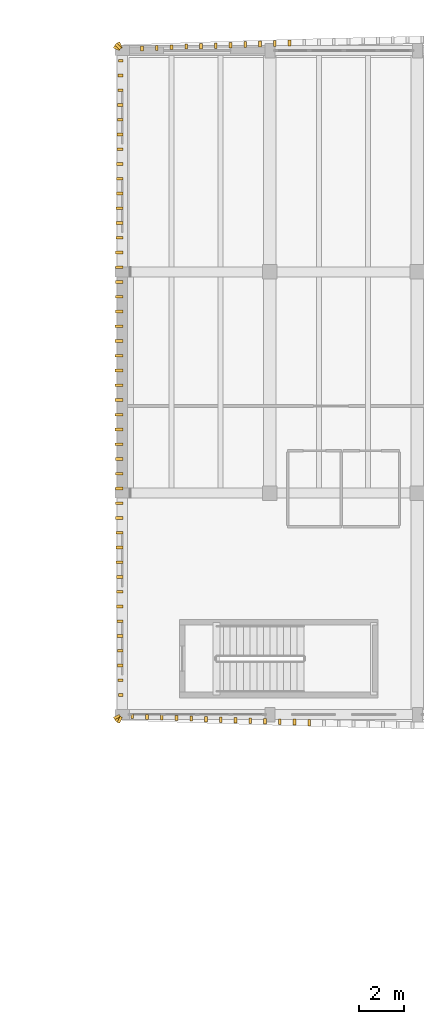
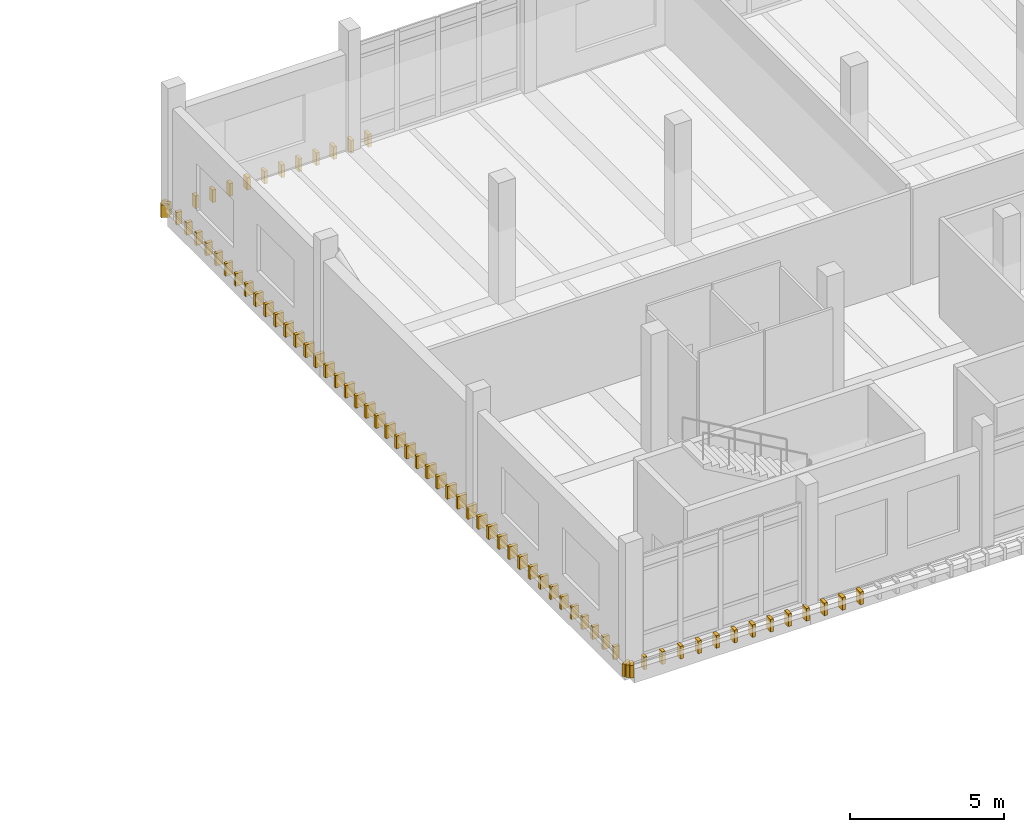
# One storey, part 46 of 50: 74 coverings.
"""IFC4 building model written with IfcOpenShell, lengths in metres."""

from ifc_helpers import new_model, si_unit, direction, frame, origin, origin_2d, place, context, subcontext, project, spatial, rectangle, extrude, material, layer, layer_set, type_object, element, save


model = new_model("IFC4")

# Units and contexts
model_context = context("Model", 3, precision=1e-05, world=origin(), true_north=direction((0.0, 1.0)))
body_context = subcontext(model_context, "Body", "Model", "MODEL_VIEW")
ifc_project = project(units=[si_unit("LENGTHUNIT", "METRE"), si_unit("AREAUNIT", "SQUARE_METRE"), si_unit("VOLUMEUNIT", "CUBIC_METRE"), si_unit("PLANEANGLEUNIT", "RADIAN"), si_unit("MASSUNIT", "GRAM", prefix="KILO")], contexts=[model_context])

# Site, building, storey
site_placement = place(None, origin())
site = spatial("IfcSite", under=ifc_project, at=site_placement, CompositionType="ELEMENT")
building_placement = place(site_placement, origin())
building = spatial("IfcBuilding", under=site, at=building_placement, Name="Dornvale Research Institute", CompositionType="ELEMENT")
storey_placement = place(building_placement, frame((0.0, 0.0, 19.800048828125)))
storey = spatial("IfcBuildingStorey", under=building, at=storey_placement, Name="L04", CompositionType="ELEMENT", Elevation=19.800048828125)

# Coverings
ifc_material = material(Name="Polychrome Glazed Terracotta Visor Rib Ceramic", Category="masonry")
ifc_layer = layer(ifc_material, 0.1201171875)
ifc_layer_set = layer_set([ifc_layer], Name="Polychrome Glazed Terracotta Visor Rib Ceramic")
covering_type = type_object("IfcCoveringType", Name="Covering_VisorBlade_Low", PredefinedType="CLADDING", material=ifc_layer_set)
covering_1_placement = place(storey_placement, frame((119.249755859375, 92.3212890625, -0.489990234375), z_axis=(0.0, 0.0, 1.0), x_axis=(0.0, 1.0, 0.0)))
element("IfcCovering", 1, at=covering_1_placement, inside=storey, type_object=covering_type, Name="L04 V4 canted glazed terracotta visor blade #2533", PredefinedType="CLADDING", context=body_context, shape_type="SweptSolid", body=[
    extrude(rectangle(XDim=0.205078125, YDim=0.1201171875, at=origin_2d()), origin(), (0.0, 0.0, 1.0), 0.5),
])
covering_2_placement = place(storey_placement, frame((119.9091796875, 92.294189453125, -0.489990234375), z_axis=(0.0, 0.0, 1.0), x_axis=(0.0, 1.0, 0.0)))
element("IfcCovering", 2, at=covering_2_placement, inside=storey, type_object=covering_type, Name="L04 V4 canted glazed terracotta visor blade #2534", PredefinedType="CLADDING", context=body_context, shape_type="SweptSolid", body=[
    extrude(rectangle(XDim=0.2119140625, YDim=0.1201171875, at=origin_2d()), origin(), (0.0, 0.0, 1.0), 0.5),
])
covering_3_placement = place(storey_placement, frame((120.56884765625, 92.267578125, -0.489990234375), z_axis=(0.0, 0.0, 1.0), x_axis=(0.0, 1.0, 0.0)))
element("IfcCovering", 3, at=covering_3_placement, inside=storey, type_object=covering_type, Name="L04 V4 canted glazed terracotta visor blade #2535", PredefinedType="CLADDING", context=body_context, shape_type="SweptSolid", body=[
    extrude(rectangle(XDim=0.218017578125, YDim=0.1201171875, at=origin_2d()), origin(), (0.0, 0.0, 1.0), 0.5),
])
covering_4_placement = place(storey_placement, frame((121.228515625, 92.24169921875, -0.489990234375), z_axis=(0.0, 0.0, 1.0), x_axis=(0.0, 1.0, 0.0)))
element("IfcCovering", 4, at=covering_4_placement, inside=storey, type_object=covering_type, Name="L04 V4 canted glazed terracotta visor blade #2536", PredefinedType="CLADDING", context=body_context, shape_type="SweptSolid", body=[
    extrude(rectangle(XDim=0.22509765625, YDim=0.1201171875, at=origin_2d()), origin(), (0.0, 0.0, 1.0), 0.5),
])
covering_5_placement = place(storey_placement, frame((121.88818359375, 92.2158203125, -0.489990234375), z_axis=(0.0, 0.0, 1.0), x_axis=(0.0, 1.0, 0.0)))
element("IfcCovering", 5, at=covering_5_placement, inside=storey, type_object=covering_type, Name="L04 V4 canted glazed terracotta visor blade #2537", PredefinedType="CLADDING", context=body_context, shape_type="SweptSolid", body=[
    extrude(rectangle(XDim=0.23193359375, YDim=0.1201171875, at=origin_2d()), origin(), (0.0, 0.0, 1.0), 0.5),
])
covering_6_placement = place(storey_placement, frame((122.5478515625, 92.19140625, -0.489990234375), z_axis=(0.0, 0.0, 1.0), x_axis=(0.0, 1.0, 0.0)))
element("IfcCovering", 6, at=covering_6_placement, inside=storey, type_object=covering_type, Name="L04 V4 canted glazed terracotta visor blade #2538", PredefinedType="CLADDING", context=body_context, shape_type="SweptSolid", body=[
    extrude(rectangle(XDim=0.238037109375, YDim=0.1201171875, at=origin_2d()), origin(), (0.0, 0.0, 1.0), 0.5),
])
covering_7_placement = place(storey_placement, frame((123.20751953125, 92.167236328125, -0.489990234375), z_axis=(0.0, 0.0, 1.0), x_axis=(0.0, 1.0, 0.0)))
element("IfcCovering", 7, at=covering_7_placement, inside=storey, type_object=covering_type, Name="L04 V4 canted glazed terracotta visor blade #2539", PredefinedType="CLADDING", context=body_context, shape_type="SweptSolid", body=[
    extrude(rectangle(XDim=0.243896484375, YDim=0.1201171875, at=origin_2d()), origin(), (0.0, 0.0, 1.0), 0.5),
])
covering_8_placement = place(storey_placement, frame((123.8671875, 92.143310546875, -0.489990234375), z_axis=(0.0, 0.0, 1.0), x_axis=(0.0, 1.0, 0.0)))
element("IfcCovering", 8, at=covering_8_placement, inside=storey, type_object=covering_type, Name="L04 V4 canted glazed terracotta visor blade #2540", PredefinedType="CLADDING", context=body_context, shape_type="SweptSolid", body=[
    extrude(rectangle(XDim=0.25, YDim=0.1201171875, at=origin_2d()), origin(), (0.0, 0.0, 1.0), 0.5),
])
covering_9_placement = place(storey_placement, frame((124.52685546875, 92.12060546875, -0.489990234375), z_axis=(0.0, 0.0, 1.0), x_axis=(0.0, 1.0, 0.0)))
element("IfcCovering", 9, at=covering_9_placement, inside=storey, type_object=covering_type, Name="L04 V4 canted glazed terracotta visor blade #2541", PredefinedType="CLADDING", context=body_context, shape_type="SweptSolid", body=[
    extrude(rectangle(XDim=0.256103515625, YDim=0.1201171875, at=origin_2d()), origin(), (0.0, 0.0, 1.0), 0.5),
])
covering_10_placement = place(storey_placement, frame((125.1865234375, 92.0986328125, -0.489990234375), z_axis=(0.0, 0.0, 1.0), x_axis=(0.0, 1.0, 0.0)))
element("IfcCovering", 10, at=covering_10_placement, inside=storey, type_object=covering_type, Name="L04 V4 canted glazed terracotta visor blade #2542", PredefinedType="CLADDING", context=body_context, shape_type="SweptSolid", body=[
    extrude(rectangle(XDim=0.260986328125, YDim=0.1201171875, at=origin_2d()), origin(), (0.0, 0.0, 1.0), 0.5),
])
covering_11_placement = place(storey_placement, frame((125.84619140625, 92.076904296875, -0.489990234375), z_axis=(0.0, 0.0, 1.0), x_axis=(0.0, 1.0, 0.0)))
element("IfcCovering", 11, at=covering_11_placement, inside=storey, type_object=covering_type, Name="L04 V4 canted glazed terracotta visor blade #2543", PredefinedType="CLADDING", context=body_context, shape_type="SweptSolid", body=[
    extrude(rectangle(XDim=0.26708984375, YDim=0.1201171875, at=origin_2d()), origin(), (0.0, 0.0, 1.0), 0.5),
])
covering_12_placement = place(storey_placement, frame((126.506103515625, 92.055908203125, -0.489990234375), z_axis=(0.0, 0.0, 1.0), x_axis=(0.0, 1.0, 0.0)))
element("IfcCovering", 12, at=covering_12_placement, inside=storey, type_object=covering_type, Name="L04 V4 canted glazed terracotta visor blade #2544", PredefinedType="CLADDING", context=body_context, shape_type="SweptSolid", body=[
    extrude(rectangle(XDim=0.27197265625, YDim=0.1201171875, at=origin_2d()), origin(), (0.0, 0.0, 1.0), 0.5),
])
covering_13_placement = place(storey_placement, frame((127.165771484375, 92.035400390625, -0.489990234375), z_axis=(0.0, 0.0, 1.0), x_axis=(0.0, 1.0, 0.0)))
element("IfcCovering", 13, at=covering_13_placement, inside=storey, type_object=covering_type, Name="L04 V4 canted glazed terracotta visor blade #2545", PredefinedType="CLADDING", context=body_context, shape_type="SweptSolid", body=[
    extrude(rectangle(XDim=0.277099609375, YDim=0.1201171875, at=origin_2d()), origin(), (0.0, 0.0, 1.0), 0.5),
])
covering_14_placement = place(storey_placement, frame((126.279541015625, 122.436767578125, -0.489990234375), z_axis=(0.0, 0.0, 1.0), x_axis=(0.0, 1.0, 0.0)))
element("IfcCovering", 14, at=covering_14_placement, inside=storey, type_object=covering_type, Name="L04 V4 canted glazed terracotta visor blade #2700", PredefinedType="CLADDING", context=body_context, shape_type="SweptSolid", body=[
    extrude(rectangle(XDim=0.27001953125, YDim=0.1201171875, at=origin_2d()), origin(), (0.0, 0.0, 1.0), 0.5),
])
covering_15_placement = place(storey_placement, frame((125.619873046875, 122.416015625, -0.489990234375), z_axis=(0.0, 0.0, 1.0), x_axis=(0.0, 1.0, 0.0)))
element("IfcCovering", 15, at=covering_15_placement, inside=storey, type_object=covering_type, Name="L04 V4 canted glazed terracotta visor blade #2701", PredefinedType="CLADDING", context=body_context, shape_type="SweptSolid", body=[
    extrude(rectangle(XDim=0.264892578125, YDim=0.1201171875, at=origin_2d()), origin(), (0.0, 0.0, 1.0), 0.5),
])
covering_16_placement = place(storey_placement, frame((124.960205078125, 122.394287109375, -0.489990234375), z_axis=(0.0, 0.0, 1.0), x_axis=(0.0, 1.0, 0.0)))
element("IfcCovering", 16, at=covering_16_placement, inside=storey, type_object=covering_type, Name="L04 V4 canted glazed terracotta visor blade #2702", PredefinedType="CLADDING", context=body_context, shape_type="SweptSolid", body=[
    extrude(rectangle(XDim=0.260009765625, YDim=0.1201171875, at=origin_2d()), origin(), (0.0, 0.0, 1.0), 0.5),
])
covering_17_placement = place(storey_placement, frame((124.300537109375, 122.37158203125, -0.489990234375), z_axis=(0.0, 0.0, 1.0), x_axis=(0.0, 1.0, 0.0)))
element("IfcCovering", 17, at=covering_17_placement, inside=storey, type_object=covering_type, Name="L04 V4 canted glazed terracotta visor blade #2703", PredefinedType="CLADDING", context=body_context, shape_type="SweptSolid", body=[
    extrude(rectangle(XDim=0.25390625, YDim=0.1201171875, at=origin_2d()), origin(), (0.0, 0.0, 1.0), 0.5),
])
covering_18_placement = place(storey_placement, frame((123.640869140625, 122.3486328125, -0.489990234375), z_axis=(0.0, 0.0, 1.0), x_axis=(0.0, 1.0, 0.0)))
element("IfcCovering", 18, at=covering_18_placement, inside=storey, type_object=covering_type, Name="L04 V4 canted glazed terracotta visor blade #2704", PredefinedType="CLADDING", context=body_context, shape_type="SweptSolid", body=[
    extrude(rectangle(XDim=0.248046875, YDim=0.1201171875, at=origin_2d()), origin(), (0.0, 0.0, 1.0), 0.5),
])
covering_19_placement = place(storey_placement, frame((122.981201171875, 122.324462890625, -0.489990234375), z_axis=(0.0, 0.0, 1.0), x_axis=(0.0, 1.0, 0.0)))
element("IfcCovering", 19, at=covering_19_placement, inside=storey, type_object=covering_type, Name="L04 V4 canted glazed terracotta visor blade #2705", PredefinedType="CLADDING", context=body_context, shape_type="SweptSolid", body=[
    extrude(rectangle(XDim=0.241943359375, YDim=0.1201171875, at=origin_2d()), origin(), (0.0, 0.0, 1.0), 0.5),
])
covering_20_placement = place(storey_placement, frame((122.3212890625, 122.300537109375, -0.489990234375), z_axis=(0.0, 0.0, 1.0), x_axis=(0.0, 1.0, 0.0)))
element("IfcCovering", 20, at=covering_20_placement, inside=storey, type_object=covering_type, Name="L04 V4 canted glazed terracotta visor blade #2706", PredefinedType="CLADDING", context=body_context, shape_type="SweptSolid", body=[
    extrude(rectangle(XDim=0.236083984375, YDim=0.1201171875, at=origin_2d()), origin(), (0.0, 0.0, 1.0), 0.5),
])
covering_21_placement = place(storey_placement, frame((121.661865234375, 122.27490234375, -0.489990234375), z_axis=(0.0, 0.0, 1.0), x_axis=(0.0, 1.0, 0.0)))
element("IfcCovering", 21, at=covering_21_placement, inside=storey, type_object=covering_type, Name="L04 V4 canted glazed terracotta visor blade #2707", PredefinedType="CLADDING", context=body_context, shape_type="SweptSolid", body=[
    extrude(rectangle(XDim=0.22900390625, YDim=0.1201171875, at=origin_2d()), origin(), (0.0, 0.0, 1.0), 0.5),
])
covering_22_placement = place(storey_placement, frame((121.002197265625, 122.24951171875, -0.489990234375), z_axis=(0.0, 0.0, 1.0), x_axis=(0.0, 1.0, 0.0)))
element("IfcCovering", 22, at=covering_22_placement, inside=storey, type_object=covering_type, Name="L04 V4 canted glazed terracotta visor blade #2708", PredefinedType="CLADDING", context=body_context, shape_type="SweptSolid", body=[
    extrude(rectangle(XDim=0.222900390625, YDim=0.1201171875, at=origin_2d()), origin(), (0.0, 0.0, 1.0), 0.5),
])
covering_23_placement = place(storey_placement, frame((120.342529296875, 122.223388671875, -0.489990234375), z_axis=(0.0, 0.0, 1.0), x_axis=(0.0, 1.0, 0.0)))
element("IfcCovering", 23, at=covering_23_placement, inside=storey, type_object=covering_type, Name="L04 V4 canted glazed terracotta visor blade #2709", PredefinedType="CLADDING", context=body_context, shape_type="SweptSolid", body=[
    extrude(rectangle(XDim=0.216064453125, YDim=0.1201171875, at=origin_2d()), origin(), (0.0, 0.0, 1.0), 0.5),
])
covering_24_placement = place(storey_placement, frame((119.68310546875, 122.1962890625, -0.489990234375), z_axis=(0.0, 0.0, 1.0), x_axis=(0.0, 1.0, 0.0)))
element("IfcCovering", 24, at=covering_24_placement, inside=storey, type_object=covering_type, Name="L04 V4 canted glazed terracotta visor blade #2710", PredefinedType="CLADDING", context=body_context, shape_type="SweptSolid", body=[
    extrude(rectangle(XDim=0.208984375, YDim=0.1201171875, at=origin_2d()), origin(), (0.0, 0.0, 1.0), 0.5),
])
covering_25_placement = place(storey_placement, frame((118.735107421875, 121.64990234375, -0.489990234375), z_axis=(0.0, 0.0, 1.0), x_axis=(1.0, 0.0, 0.0)))
element("IfcCovering", 25, at=covering_25_placement, inside=storey, type_object=covering_type, Name="L04 V4 canted glazed terracotta visor blade #2755", PredefinedType="CLADDING", context=body_context, shape_type="SweptSolid", body=[
    extrude(rectangle(XDim=0.2099609375, YDim=0.1201171875, at=origin_2d()), origin(), (0.0, 0.0, 1.0), 0.5),
])
covering_26_placement = place(storey_placement, frame((118.728515625, 120.989990234375, -0.489990234375), z_axis=(0.0, 0.0, 1.0), x_axis=(1.0, 0.0, 0.0)))
element("IfcCovering", 26, at=covering_26_placement, inside=storey, type_object=covering_type, Name="L04 V4 canted glazed terracotta visor blade #2756", PredefinedType="CLADDING", context=body_context, shape_type="SweptSolid", body=[
    extrude(rectangle(XDim=0.222900390625, YDim=0.1201171875, at=origin_2d()), origin(), (0.0, 0.0, 1.0), 0.5),
])
covering_27_placement = place(storey_placement, frame((118.721923828125, 120.330078125, -0.489990234375), z_axis=(0.0, 0.0, 1.0), x_axis=(1.0, 0.0, 0.0)))
element("IfcCovering", 27, at=covering_27_placement, inside=storey, type_object=covering_type, Name="L04 V4 canted glazed terracotta visor blade #2757", PredefinedType="CLADDING", context=body_context, shape_type="SweptSolid", body=[
    extrude(rectangle(XDim=0.236083984375, YDim=0.1201171875, at=origin_2d()), origin(), (0.0, 0.0, 1.0), 0.5),
])
covering_28_placement = place(storey_placement, frame((118.716064453125, 119.669921875, -0.489990234375), z_axis=(0.0, 0.0, 1.0), x_axis=(1.0, 0.0, 0.0)))
element("IfcCovering", 28, at=covering_28_placement, inside=storey, type_object=covering_type, Name="L04 V4 canted glazed terracotta visor blade #2758", PredefinedType="CLADDING", context=body_context, shape_type="SweptSolid", body=[
    extrude(rectangle(XDim=0.248046875, YDim=0.1201171875, at=origin_2d()), origin(), (0.0, 0.0, 1.0), 0.5),
])
covering_29_placement = place(storey_placement, frame((118.7099609375, 119.010009765625, -0.489990234375), z_axis=(0.0, 0.0, 1.0), x_axis=(1.0, 0.0, 0.0)))
element("IfcCovering", 29, at=covering_29_placement, inside=storey, type_object=covering_type, Name="L04 V4 canted glazed terracotta visor blade #2759", PredefinedType="CLADDING", context=body_context, shape_type="SweptSolid", body=[
    extrude(rectangle(XDim=0.260009765625, YDim=0.1201171875, at=origin_2d()), origin(), (0.0, 0.0, 1.0), 0.5),
])
covering_30_placement = place(storey_placement, frame((118.70458984375, 118.35009765625, -0.489990234375), z_axis=(0.0, 0.0, 1.0), x_axis=(1.0, 0.0, 0.0)))
element("IfcCovering", 30, at=covering_30_placement, inside=storey, type_object=covering_type, Name="L04 V4 canted glazed terracotta visor blade #2760", PredefinedType="CLADDING", context=body_context, shape_type="SweptSolid", body=[
    extrude(rectangle(XDim=0.27099609375, YDim=0.1201171875, at=origin_2d()), origin(), (0.0, 0.0, 1.0), 0.5),
])
covering_31_placement = place(storey_placement, frame((118.699462890625, 117.68994140625, -0.489990234375), z_axis=(0.0, 0.0, 1.0), x_axis=(1.0, 0.0, 0.0)))
element("IfcCovering", 31, at=covering_31_placement, inside=storey, type_object=covering_type, Name="L04 V4 canted glazed terracotta visor blade #2761", PredefinedType="CLADDING", context=body_context, shape_type="SweptSolid", body=[
    extrude(rectangle(XDim=0.281005859375, YDim=0.1201171875, at=origin_2d()), origin(), (0.0, 0.0, 1.0), 0.5),
])
covering_32_placement = place(storey_placement, frame((118.694580078125, 117.030029296875, -0.489990234375), z_axis=(0.0, 0.0, 1.0), x_axis=(1.0, 0.0, 0.0)))
element("IfcCovering", 32, at=covering_32_placement, inside=storey, type_object=covering_type, Name="L04 V4 canted glazed terracotta visor blade #2762", PredefinedType="CLADDING", context=body_context, shape_type="SweptSolid", body=[
    extrude(rectangle(XDim=0.291015625, YDim=0.1201171875, at=origin_2d()), origin(), (0.0, 0.0, 1.0), 0.5),
])
covering_33_placement = place(storey_placement, frame((118.68994140625, 116.3701171875, -0.489990234375), z_axis=(0.0, 0.0, 1.0), x_axis=(1.0, 0.0, 0.0)))
element("IfcCovering", 33, at=covering_33_placement, inside=storey, type_object=covering_type, Name="L04 V4 canted glazed terracotta visor blade #2763", PredefinedType="CLADDING", context=body_context, shape_type="SweptSolid", body=[
    extrude(rectangle(XDim=0.300048828125, YDim=0.1201171875, at=origin_2d()), origin(), (0.0, 0.0, 1.0), 0.5),
])
covering_34_placement = place(storey_placement, frame((118.68603515625, 115.7099609375, -0.489990234375), z_axis=(0.0, 0.0, 1.0), x_axis=(1.0, 0.0, 0.0)))
element("IfcCovering", 34, at=covering_34_placement, inside=storey, type_object=covering_type, Name="L04 V4 canted glazed terracotta visor blade #2764", PredefinedType="CLADDING", context=body_context, shape_type="SweptSolid", body=[
    extrude(rectangle(XDim=0.30810546875, YDim=0.1201171875, at=origin_2d()), origin(), (0.0, 0.0, 1.0), 0.5),
])
covering_35_placement = place(storey_placement, frame((118.681884765625, 115.050048828125, -0.489990234375), z_axis=(0.0, 0.0, 1.0), x_axis=(1.0, 0.0, 0.0)))
element("IfcCovering", 35, at=covering_35_placement, inside=storey, type_object=covering_type, Name="L04 V4 canted glazed terracotta visor blade #2765", PredefinedType="CLADDING", context=body_context, shape_type="SweptSolid", body=[
    extrude(rectangle(XDim=0.31591796875, YDim=0.1201171875, at=origin_2d()), origin(), (0.0, 0.0, 1.0), 0.5),
])
covering_36_placement = place(storey_placement, frame((118.678466796875, 114.389892578125, -0.489990234375), z_axis=(0.0, 0.0, 1.0), x_axis=(1.0, 0.0, 0.0)))
element("IfcCovering", 36, at=covering_36_placement, inside=storey, type_object=covering_type, Name="L04 V4 canted glazed terracotta visor blade #2766", PredefinedType="CLADDING", context=body_context, shape_type="SweptSolid", body=[
    extrude(rectangle(XDim=0.322998046875, YDim=0.1201171875, at=origin_2d()), origin(), (0.0, 0.0, 1.0), 0.5),
])
covering_37_placement = place(storey_placement, frame((118.675048828125, 113.72998046875, -0.489990234375), z_axis=(0.0, 0.0, 1.0), x_axis=(1.0, 0.0, 0.0)))
element("IfcCovering", 37, at=covering_37_placement, inside=storey, type_object=covering_type, Name="L04 V4 canted glazed terracotta visor blade #2767", PredefinedType="CLADDING", context=body_context, shape_type="SweptSolid", body=[
    extrude(rectangle(XDim=0.330078125, YDim=0.1201171875, at=origin_2d()), origin(), (0.0, 0.0, 1.0), 0.5),
])
covering_38_placement = place(storey_placement, frame((118.672607421875, 113.070068359375, -0.489990234375), z_axis=(0.0, 0.0, 1.0), x_axis=(1.0, 0.0, 0.0)))
element("IfcCovering", 38, at=covering_38_placement, inside=storey, type_object=covering_type, Name="L04 V4 canted glazed terracotta visor blade #2768", PredefinedType="CLADDING", context=body_context, shape_type="SweptSolid", body=[
    extrude(rectangle(XDim=0.3349609375, YDim=0.1201171875, at=origin_2d()), origin(), (0.0, 0.0, 1.0), 0.5),
])
covering_39_placement = place(storey_placement, frame((118.66943359375, 112.409912109375, -0.489990234375), z_axis=(0.0, 0.0, 1.0), x_axis=(1.0, 0.0, 0.0)))
element("IfcCovering", 39, at=covering_39_placement, inside=storey, type_object=covering_type, Name="L04 V4 canted glazed terracotta visor blade #2769", PredefinedType="CLADDING", context=body_context, shape_type="SweptSolid", body=[
    extrude(rectangle(XDim=0.341064453125, YDim=0.1201171875, at=origin_2d()), origin(), (0.0, 0.0, 1.0), 0.5),
])
covering_40_placement = place(storey_placement, frame((118.66748046875, 111.75, -0.489990234375), z_axis=(0.0, 0.0, 1.0), x_axis=(1.0, 0.0, 0.0)))
element("IfcCovering", 40, at=covering_40_placement, inside=storey, type_object=covering_type, Name="L04 V4 canted glazed terracotta visor blade #2770", PredefinedType="CLADDING", context=body_context, shape_type="SweptSolid", body=[
    extrude(rectangle(XDim=0.344970703125, YDim=0.1201171875, at=origin_2d()), origin(), (0.0, 0.0, 1.0), 0.5),
])
covering_41_placement = place(storey_placement, frame((118.66552734375, 111.090087890625, -0.489990234375), z_axis=(0.0, 0.0, 1.0), x_axis=(1.0, 0.0, 0.0)))
element("IfcCovering", 41, at=covering_41_placement, inside=storey, type_object=covering_type, Name="L04 V4 canted glazed terracotta visor blade #2771", PredefinedType="CLADDING", context=body_context, shape_type="SweptSolid", body=[
    extrude(rectangle(XDim=0.34912109375, YDim=0.1201171875, at=origin_2d()), origin(), (0.0, 0.0, 1.0), 0.5),
])
covering_42_placement = place(storey_placement, frame((118.66357421875, 110.429931640625, -0.489990234375), z_axis=(0.0, 0.0, 1.0), x_axis=(1.0, 0.0, 0.0)))
element("IfcCovering", 42, at=covering_42_placement, inside=storey, type_object=covering_type, Name="L04 V4 canted glazed terracotta visor blade #2772", PredefinedType="CLADDING", context=body_context, shape_type="SweptSolid", body=[
    extrude(rectangle(XDim=0.35302734375, YDim=0.1201171875, at=origin_2d()), origin(), (0.0, 0.0, 1.0), 0.5),
])
covering_43_placement = place(storey_placement, frame((118.66259765625, 109.77001953125, -0.489990234375), z_axis=(0.0, 0.0, 1.0), x_axis=(1.0, 0.0, 0.0)))
element("IfcCovering", 43, at=covering_43_placement, inside=storey, type_object=covering_type, Name="L04 V4 canted glazed terracotta visor blade #2773", PredefinedType="CLADDING", context=body_context, shape_type="SweptSolid", body=[
    extrude(rectangle(XDim=0.35498046875, YDim=0.1201171875, at=origin_2d()), origin(), (0.0, 0.0, 1.0), 0.5),
])
covering_44_placement = place(storey_placement, frame((118.66162109375, 109.110107421875, -0.489990234375), z_axis=(0.0, 0.0, 1.0), x_axis=(1.0, 0.0, 0.0)))
element("IfcCovering", 44, at=covering_44_placement, inside=storey, type_object=covering_type, Name="L04 V4 canted glazed terracotta visor blade #2774", PredefinedType="CLADDING", context=body_context, shape_type="SweptSolid", body=[
    extrude(rectangle(XDim=0.35693359375, YDim=0.1201171875, at=origin_2d()), origin(), (0.0, 0.0, 1.0), 0.5),
])
covering_45_placement = place(storey_placement, frame((118.660400390625, 108.449951171875, -0.489990234375), z_axis=(0.0, 0.0, 1.0), x_axis=(1.0, 0.0, 0.0)))
element("IfcCovering", 45, at=covering_45_placement, inside=storey, type_object=covering_type, Name="L04 V4 canted glazed terracotta visor blade #2775", PredefinedType="CLADDING", context=body_context, shape_type="SweptSolid", body=[
    extrude(rectangle(XDim=0.35888671875, YDim=0.1201171875, at=origin_2d()), origin(), (0.0, 0.0, 1.0), 0.5),
])
for number, where, z_axis, x_axis, name in (
    (46, (118.659912109375, 107.7900390625, -0.489990234375), (0.0, 0.0, 1.0), (1.0, 0.0, 0.0), "L04 V4 canted glazed terracotta visor blade #2776"),
    (47, (118.659912109375, 107.1298828125, -0.489990234375), (0.0, 0.0, 1.0), (1.0, 0.0, 0.0), "L04 V4 canted glazed terracotta visor blade #2777"),
    (48, (118.659912109375, 106.469970703125, -0.489990234375), (0.0, 0.0, 1.0), (1.0, 0.0, 0.0), "L04 V4 canted glazed terracotta visor blade #2778"),
):
    element("IfcCovering", number, at=place(storey_placement, frame(where, z_axis=z_axis, x_axis=x_axis)), inside=storey, type_object=covering_type, Name=name, PredefinedType="CLADDING", context=body_context, shape_type="SweptSolid", body=[
        extrude(rectangle(XDim=0.360107421875, YDim=0.1201171875, at=origin_2d()), origin(), (0.0, 0.0, 1.0), 0.5),
    ])
covering_46_placement = place(storey_placement, frame((118.660888671875, 105.81005859375, -0.489990234375), z_axis=(0.0, 0.0, 1.0), x_axis=(1.0, 0.0, 0.0)))
element("IfcCovering", 49, at=covering_46_placement, inside=storey, type_object=covering_type, Name="L04 V4 canted glazed terracotta visor blade #2779", PredefinedType="CLADDING", context=body_context, shape_type="SweptSolid", body=[
    extrude(rectangle(XDim=0.35791015625, YDim=0.1201171875, at=origin_2d()), origin(), (0.0, 0.0, 1.0), 0.5),
])
covering_47_placement = place(storey_placement, frame((118.66162109375, 105.14990234375, -0.489990234375), z_axis=(0.0, 0.0, 1.0), x_axis=(1.0, 0.0, 0.0)))
element("IfcCovering", 50, at=covering_47_placement, inside=storey, type_object=covering_type, Name="L04 V4 canted glazed terracotta visor blade #2780", PredefinedType="CLADDING", context=body_context, shape_type="SweptSolid", body=[
    extrude(rectangle(XDim=0.35693359375, YDim=0.1201171875, at=origin_2d()), origin(), (0.0, 0.0, 1.0), 0.5),
])
covering_48_placement = place(storey_placement, frame((118.6630859375, 104.489990234375, -0.489990234375), z_axis=(0.0, 0.0, 1.0), x_axis=(1.0, 0.0, 0.0)))
element("IfcCovering", 51, at=covering_48_placement, inside=storey, type_object=covering_type, Name="L04 V4 canted glazed terracotta visor blade #2781", PredefinedType="CLADDING", context=body_context, shape_type="SweptSolid", body=[
    extrude(rectangle(XDim=0.35400390625, YDim=0.1201171875, at=origin_2d()), origin(), (0.0, 0.0, 1.0), 0.5),
])
covering_49_placement = place(storey_placement, frame((118.6640625, 103.830078125, -0.489990234375), z_axis=(0.0, 0.0, 1.0), x_axis=(1.0, 0.0, 0.0)))
element("IfcCovering", 52, at=covering_49_placement, inside=storey, type_object=covering_type, Name="L04 V4 canted glazed terracotta visor blade #2782", PredefinedType="CLADDING", context=body_context, shape_type="SweptSolid", body=[
    extrude(rectangle(XDim=0.35205078125, YDim=0.1201171875, at=origin_2d()), origin(), (0.0, 0.0, 1.0), 0.5),
])
covering_50_placement = place(storey_placement, frame((118.666015625, 103.169921875, -0.489990234375), z_axis=(0.0, 0.0, 1.0), x_axis=(1.0, 0.0, 0.0)))
element("IfcCovering", 53, at=covering_50_placement, inside=storey, type_object=covering_type, Name="L04 V4 canted glazed terracotta visor blade #2783", PredefinedType="CLADDING", context=body_context, shape_type="SweptSolid", body=[
    extrude(rectangle(XDim=0.347900390625, YDim=0.1201171875, at=origin_2d()), origin(), (0.0, 0.0, 1.0), 0.5),
])
covering_51_placement = place(storey_placement, frame((118.66796875, 102.510009765625, -0.489990234375), z_axis=(0.0, 0.0, 1.0), x_axis=(1.0, 0.0, 0.0)))
element("IfcCovering", 54, at=covering_51_placement, inside=storey, type_object=covering_type, Name="L04 V4 canted glazed terracotta visor blade #2784", PredefinedType="CLADDING", context=body_context, shape_type="SweptSolid", body=[
    extrude(rectangle(XDim=0.343994140625, YDim=0.1201171875, at=origin_2d()), origin(), (0.0, 0.0, 1.0), 0.5),
])
covering_52_placement = place(storey_placement, frame((118.67041015625, 101.85009765625, -0.489990234375), z_axis=(0.0, 0.0, 1.0), x_axis=(1.0, 0.0, 0.0)))
element("IfcCovering", 55, at=covering_52_placement, inside=storey, type_object=covering_type, Name="L04 V4 canted glazed terracotta visor blade #2785", PredefinedType="CLADDING", context=body_context, shape_type="SweptSolid", body=[
    extrude(rectangle(XDim=0.339111328125, YDim=0.1201171875, at=origin_2d()), origin(), (0.0, 0.0, 1.0), 0.5),
])
covering_53_placement = place(storey_placement, frame((118.673583984375, 101.18994140625, -0.489990234375), z_axis=(0.0, 0.0, 1.0), x_axis=(1.0, 0.0, 0.0)))
element("IfcCovering", 56, at=covering_53_placement, inside=storey, type_object=covering_type, Name="L04 V4 canted glazed terracotta visor blade #2786", PredefinedType="CLADDING", context=body_context, shape_type="SweptSolid", body=[
    extrude(rectangle(XDim=0.3330078125, YDim=0.1201171875, at=origin_2d()), origin(), (0.0, 0.0, 1.0), 0.5),
])
covering_54_placement = place(storey_placement, frame((118.676513671875, 100.530029296875, -0.489990234375), z_axis=(0.0, 0.0, 1.0), x_axis=(1.0, 0.0, 0.0)))
element("IfcCovering", 57, at=covering_54_placement, inside=storey, type_object=covering_type, Name="L04 V4 canted glazed terracotta visor blade #2787", PredefinedType="CLADDING", context=body_context, shape_type="SweptSolid", body=[
    extrude(rectangle(XDim=0.326904296875, YDim=0.1201171875, at=origin_2d()), origin(), (0.0, 0.0, 1.0), 0.5),
])
covering_55_placement = place(storey_placement, frame((118.679931640625, 99.8701171875, -0.489990234375), z_axis=(0.0, 0.0, 1.0), x_axis=(1.0, 0.0, 0.0)))
element("IfcCovering", 58, at=covering_55_placement, inside=storey, type_object=covering_type, Name="L04 V4 canted glazed terracotta visor blade #2788", PredefinedType="CLADDING", context=body_context, shape_type="SweptSolid", body=[
    extrude(rectangle(XDim=0.320068359375, YDim=0.1201171875, at=origin_2d()), origin(), (0.0, 0.0, 1.0), 0.5),
])
covering_56_placement = place(storey_placement, frame((118.68359375, 99.2099609375, -0.489990234375), z_axis=(0.0, 0.0, 1.0), x_axis=(1.0, 0.0, 0.0)))
element("IfcCovering", 59, at=covering_56_placement, inside=storey, type_object=covering_type, Name="L04 V4 canted glazed terracotta visor blade #2789", PredefinedType="CLADDING", context=body_context, shape_type="SweptSolid", body=[
    extrude(rectangle(XDim=0.31298828125, YDim=0.1201171875, at=origin_2d()), origin(), (0.0, 0.0, 1.0), 0.5),
])
covering_57_placement = place(storey_placement, frame((118.6875, 98.550048828125, -0.489990234375), z_axis=(0.0, 0.0, 1.0), x_axis=(1.0, 0.0, 0.0)))
element("IfcCovering", 60, at=covering_57_placement, inside=storey, type_object=covering_type, Name="L04 V4 canted glazed terracotta visor blade #2790", PredefinedType="CLADDING", context=body_context, shape_type="SweptSolid", body=[
    extrude(rectangle(XDim=0.304931640625, YDim=0.1201171875, at=origin_2d()), origin(), (0.0, 0.0, 1.0), 0.5),
])
covering_58_placement = place(storey_placement, frame((118.69189453125, 97.889892578125, -0.489990234375), z_axis=(0.0, 0.0, 1.0), x_axis=(1.0, 0.0, 0.0)))
element("IfcCovering", 61, at=covering_58_placement, inside=storey, type_object=covering_type, Name="L04 V4 canted glazed terracotta visor blade #2791", PredefinedType="CLADDING", context=body_context, shape_type="SweptSolid", body=[
    extrude(rectangle(XDim=0.2958984375, YDim=0.1201171875, at=origin_2d()), origin(), (0.0, 0.0, 1.0), 0.5),
])
covering_59_placement = place(storey_placement, frame((118.696533203125, 97.22998046875, -0.489990234375), z_axis=(0.0, 0.0, 1.0), x_axis=(1.0, 0.0, 0.0)))
element("IfcCovering", 62, at=covering_59_placement, inside=storey, type_object=covering_type, Name="L04 V4 canted glazed terracotta visor blade #2792", PredefinedType="CLADDING", context=body_context, shape_type="SweptSolid", body=[
    extrude(rectangle(XDim=0.287109375, YDim=0.1201171875, at=origin_2d()), origin(), (0.0, 0.0, 1.0), 0.5),
])
covering_60_placement = place(storey_placement, frame((118.701416015625, 96.570068359375, -0.489990234375), z_axis=(0.0, 0.0, 1.0), x_axis=(1.0, 0.0, 0.0)))
element("IfcCovering", 63, at=covering_60_placement, inside=storey, type_object=covering_type, Name="L04 V4 canted glazed terracotta visor blade #2793", PredefinedType="CLADDING", context=body_context, shape_type="SweptSolid", body=[
    extrude(rectangle(XDim=0.277099609375, YDim=0.1201171875, at=origin_2d()), origin(), (0.0, 0.0, 1.0), 0.5),
])
covering_61_placement = place(storey_placement, frame((118.70654296875, 95.909912109375, -0.489990234375), z_axis=(0.0, 0.0, 1.0), x_axis=(1.0, 0.0, 0.0)))
element("IfcCovering", 64, at=covering_61_placement, inside=storey, type_object=covering_type, Name="L04 V4 canted glazed terracotta visor blade #2794", PredefinedType="CLADDING", context=body_context, shape_type="SweptSolid", body=[
    extrude(rectangle(XDim=0.26708984375, YDim=0.1201171875, at=origin_2d()), origin(), (0.0, 0.0, 1.0), 0.5),
])
covering_62_placement = place(storey_placement, frame((118.7119140625, 95.25, -0.489990234375), z_axis=(0.0, 0.0, 1.0), x_axis=(1.0, 0.0, 0.0)))
element("IfcCovering", 65, at=covering_62_placement, inside=storey, type_object=covering_type, Name="L04 V4 canted glazed terracotta visor blade #2795", PredefinedType="CLADDING", context=body_context, shape_type="SweptSolid", body=[
    extrude(rectangle(XDim=0.256103515625, YDim=0.1201171875, at=origin_2d()), origin(), (0.0, 0.0, 1.0), 0.5),
])
covering_63_placement = place(storey_placement, frame((118.718017578125, 94.590087890625, -0.489990234375), z_axis=(0.0, 0.0, 1.0), x_axis=(1.0, 0.0, 0.0)))
element("IfcCovering", 66, at=covering_63_placement, inside=storey, type_object=covering_type, Name="L04 V4 canted glazed terracotta visor blade #2796", PredefinedType="CLADDING", context=body_context, shape_type="SweptSolid", body=[
    extrude(rectangle(XDim=0.243896484375, YDim=0.1201171875, at=origin_2d()), origin(), (0.0, 0.0, 1.0), 0.5),
])
covering_64_placement = place(storey_placement, frame((118.724609375, 93.929931640625, -0.489990234375), z_axis=(0.0, 0.0, 1.0), x_axis=(1.0, 0.0, 0.0)))
element("IfcCovering", 67, at=covering_64_placement, inside=storey, type_object=covering_type, Name="L04 V4 canted glazed terracotta visor blade #2797", PredefinedType="CLADDING", context=body_context, shape_type="SweptSolid", body=[
    extrude(rectangle(XDim=0.23095703125, YDim=0.1201171875, at=origin_2d()), origin(), (0.0, 0.0, 1.0), 0.5),
])
covering_65_placement = place(storey_placement, frame((118.73095703125, 93.27001953125, -0.489990234375), z_axis=(0.0, 0.0, 1.0), x_axis=(1.0, 0.0, 0.0)))
element("IfcCovering", 68, at=covering_65_placement, inside=storey, type_object=covering_type, Name="L04 V4 canted glazed terracotta visor blade #2798", PredefinedType="CLADDING", context=body_context, shape_type="SweptSolid", body=[
    extrude(rectangle(XDim=0.218017578125, YDim=0.1201171875, at=origin_2d()), origin(), (0.0, 0.0, 1.0), 0.5),
])
for number, where, z_axis, x_axis, name in (
    (69, (118.564453125, 92.2900390625, -0.489990234375), (0.0, 0.0, 1.0), (-0.906307787037, -0.422618261741, 0.0), "L04 V4 corner-wrapping visor blade #2799"),
    (70, (118.6162109375, 92.21630859375, -0.489990234375), (0.0, 0.0, 1.0), (-0.707106781187, -0.707106781187, 0.0), "L04 V4 corner-wrapping visor blade #2800"),
    (71, (118.690185546875, 92.164306640625, -0.489990234375), (0.0, 0.0, 1.0), (-0.422618261741, -0.906307787037, 0.0), "L04 V4 corner-wrapping visor blade #2801"),
    (72, (118.690185546875, 122.335693359375, -0.489990234375), (0.0, 0.0, 1.0), (-0.422618261741, 0.906307787037, 0.0), "L04 V4 corner-wrapping visor blade #2808"),
    (73, (118.6162109375, 122.28369140625, -0.489990234375), (0.0, 0.0, 1.0), (-0.707106781187, 0.707106781187, 0.0), "L04 V4 corner-wrapping visor blade #2809"),
    (74, (118.564453125, 122.2099609375, -0.489990234375), (0.0, 0.0, 1.0), (-0.906307787037, 0.422618261741, 0.0), "L04 V4 corner-wrapping visor blade #2810"),
):
    element("IfcCovering", number, at=place(storey_placement, frame(where, z_axis=z_axis, x_axis=x_axis)), inside=storey, type_object=covering_type, Name=name, PredefinedType="CLADDING", context=body_context, shape_type="SweptSolid", body=[
        extrude(rectangle(XDim=0.300048828125, YDim=0.1201171875, at=origin_2d()), origin(), (0.0, 0.0, 1.0), 0.5),
    ])

save(model, "model.ifc")
